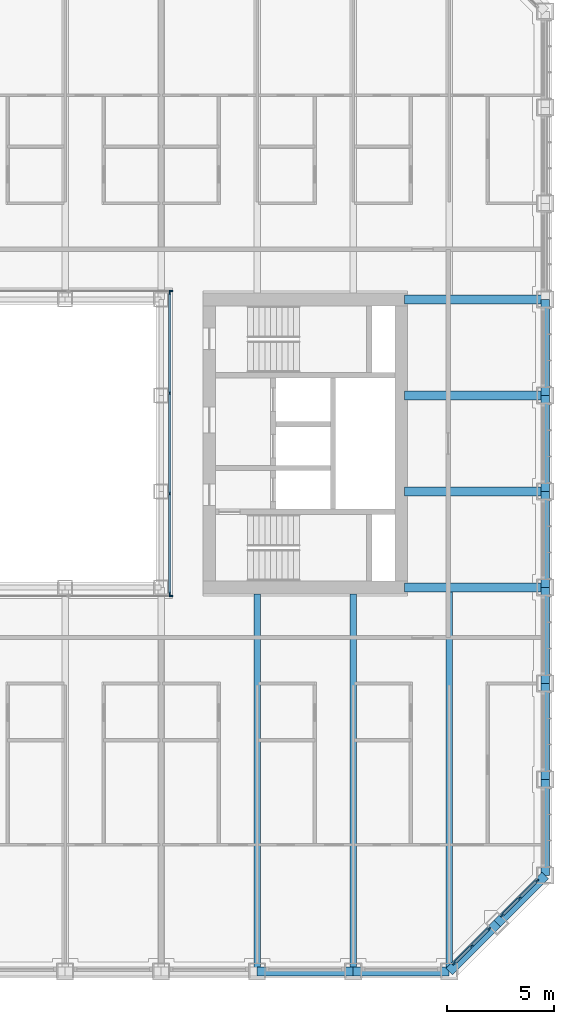
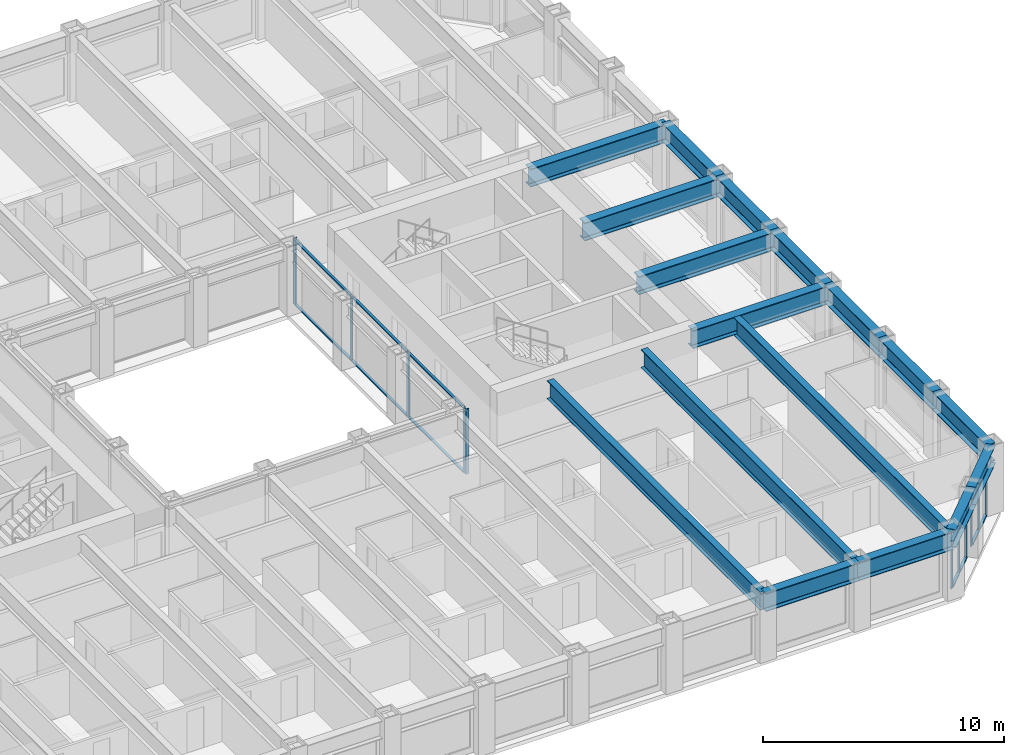
# One storey, part 5 of 21: 26 members, 17 beams, 5 elements without a shape of their own.
"""IFC4 building model written with IfcOpenShell, lengths in metres."""

from ifc_helpers import new_model, si_unit, direction, frame, origin, origin_2d, place, context, subcontext, project, spatial, rectangle, i_section, extrude, material, material_profile, profile_set, type_object, element, aggregate, save


model = new_model("IFC4")

# Units and contexts
model_context = context("Model", 3, precision=1e-05, world=origin(), true_north=direction((0.0, 1.0)))
body_context = subcontext(model_context, "Body", "Model", "MODEL_VIEW")
ifc_project = project(units=[si_unit("LENGTHUNIT", "METRE"), si_unit("AREAUNIT", "SQUARE_METRE"), si_unit("VOLUMEUNIT", "CUBIC_METRE"), si_unit("PLANEANGLEUNIT", "RADIAN"), si_unit("MASSUNIT", "GRAM", prefix="KILO")], contexts=[model_context])

# Site, building, storey
site_placement = place(None, origin())
site = spatial("IfcSite", under=ifc_project, at=site_placement, CompositionType="ELEMENT")
building_placement = place(site_placement, origin())
building = spatial("IfcBuilding", under=site, at=building_placement, Name="Msasa Ring Tower", CompositionType="ELEMENT")
storey_placement = place(building_placement, frame((0.0, 0.0, 89.5)))
storey = spatial("IfcBuildingStorey", under=building, at=storey_placement, Name="L23", CompositionType="ELEMENT", Elevation=89.5)

# Curtain wall, members
ifc_material_1 = material(Name="Aluminium curtain wall with clear glass", Category="aluminium")
curtain_wall_type_1 = type_object("IfcCurtainWallType", Name="CW-C CHAMFER CORNER CURTAIN WALL", PredefinedType="NOTDEFINED", material=ifc_material_1)
curtain_wall_1_placement = place(storey_placement, origin())
curtain_wall_1 = element("IfcCurtainWall", 1, at=curtain_wall_1_placement, inside=storey, type_object=curtain_wall_type_1, Name="Chamfer corner curtain wall SE L23", PredefinedType="NOTDEFINED")
ifc_material_2 = material(Name="Aluminium mullion", Category="aluminium")
ifc_material_profile_1 = material_profile(ifc_material_2, rectangle(XDim=0.06494140625, YDim=0.179931640625, at=origin_2d()), Name="AL 65x180")
ifc_profile_set_1 = profile_set([ifc_material_profile_1], Name="Aluminium mullion")
member_type_1 = type_object("IfcMemberType", Name="CW-C MULLION 65x180", PredefinedType="MULLION", material=ifc_profile_set_1)
member_1_placement = place(storey_placement, frame((20.48876953125, -24.369873046875, 0.0), z_axis=(0.0, 0.0, 1.0), x_axis=(-0.707106781187, 0.707106781187, 0.0)))
member_1 = element("IfcMember", 2, at=member_1_placement, type_object=member_type_1, Name="CW-C mullion 1", PredefinedType="MULLION", context=body_context, shape_type="SweptSolid", body=[
    extrude(rectangle(XDim=0.06494140625, YDim=0.179931640625, at=origin_2d()), origin(), (0.0, 0.0, 1.0), 2.37890625),
])
member_2_placement = place(storey_placement, frame((21.30419921875, -23.55419921875, 0.0), z_axis=(0.0, 0.0, 1.0), x_axis=(-0.707106781187, 0.707106781187, 0.0)))
member_2 = element("IfcMember", 3, at=member_2_placement, type_object=member_type_1, Name="CW-C mullion 2", PredefinedType="MULLION", context=body_context, shape_type="SweptSolid", body=[
    extrude(rectangle(XDim=0.06494140625, YDim=0.179931640625, at=origin_2d()), origin(), (0.0, 0.0, 1.0), 2.37890625),
])
member_3_placement = place(storey_placement, frame((22.119873046875, -22.73876953125, 0.0), z_axis=(0.0, 0.0, 1.0), x_axis=(-0.707106781187, 0.707106781187, 0.0)))
member_3 = element("IfcMember", 4, at=member_3_placement, type_object=member_type_1, Name="CW-C mullion 3", PredefinedType="MULLION", context=body_context, shape_type="SweptSolid", body=[
    extrude(rectangle(XDim=0.06494140625, YDim=0.179931640625, at=origin_2d()), origin(), (0.0, 0.0, 1.0), 2.37890625),
])

curtain_wall_2_placement = place(storey_placement, origin())
curtain_wall_2 = element("IfcCurtainWall", 5, at=curtain_wall_2_placement, inside=storey, type_object=curtain_wall_type_1, Name="Chamfer corner curtain wall SE L23", PredefinedType="NOTDEFINED")
member_4_placement = place(storey_placement, frame((22.73876953125, -22.119873046875, 0.0), z_axis=(0.0, 0.0, 1.0), x_axis=(-0.707106781187, 0.707106781187, 0.0)))
member_4 = element("IfcMember", 6, at=member_4_placement, type_object=member_type_1, Name="CW-C mullion 1", PredefinedType="MULLION", context=body_context, shape_type="SweptSolid", body=[
    extrude(rectangle(XDim=0.06494140625, YDim=0.179931640625, at=origin_2d()), origin(), (0.0, 0.0, 1.0), 2.37890625),
])
member_5_placement = place(storey_placement, frame((23.55419921875, -21.30419921875, 0.0), z_axis=(0.0, 0.0, 1.0), x_axis=(-0.707106781187, 0.707106781187, 0.0)))
member_5 = element("IfcMember", 7, at=member_5_placement, type_object=member_type_1, Name="CW-C mullion 2", PredefinedType="MULLION", context=body_context, shape_type="SweptSolid", body=[
    extrude(rectangle(XDim=0.06494140625, YDim=0.179931640625, at=origin_2d()), origin(), (0.0, 0.0, 1.0), 2.37890625),
])
member_6_placement = place(storey_placement, frame((24.369873046875, -20.48876953125, 0.0), z_axis=(0.0, 0.0, 1.0), x_axis=(-0.707106781187, 0.707106781187, 0.0)))
member_6 = element("IfcMember", 8, at=member_6_placement, type_object=member_type_1, Name="CW-C mullion 3", PredefinedType="MULLION", context=body_context, shape_type="SweptSolid", body=[
    extrude(rectangle(XDim=0.06494140625, YDim=0.179931640625, at=origin_2d()), origin(), (0.0, 0.0, 1.0), 2.37890625),
])

# Member
ifc_material_3 = material(Name="Aluminium transom", Category="aluminium")
ifc_material_profile_2 = material_profile(ifc_material_3, rectangle(XDim=0.139892578125, YDim=0.06494140625, at=origin_2d()), Name="AL 65x140")
ifc_profile_set_2 = profile_set([ifc_material_profile_2], Name="Aluminium transom")
member_type_2 = type_object("IfcMemberType", Name="CW-C TRANSOM 65x140", PredefinedType="USERDEFINED", material=ifc_profile_set_2)
member_7_placement = place(storey_placement, frame((20.51171875, -24.346923828125, 0.032470703125), z_axis=(0.707106781187, 0.707106781187, 0.0), x_axis=(-0.707106781187, 0.707106781187, 0.0)))
member_7 = element("IfcMember", 9, at=member_7_placement, type_object=member_type_2, Name="CW-C transom 1.1", ObjectType="TRANSOM", PredefinedType="USERDEFINED", context=body_context, shape_type="SweptSolid", body=[
    extrude(rectangle(XDim=0.139892578125, YDim=0.06494140625, at=origin_2d()), origin(), (0.0, 0.0, 1.0), 1.08837890625),
])

member_8_placement = place(storey_placement, frame((20.51171875, -24.346923828125, 2.346435546875), z_axis=(0.707106781187, 0.707106781187, 0.0), x_axis=(-0.707106781187, 0.707106781187, 0.0)))
member_8 = element("IfcMember", 10, at=member_8_placement, type_object=member_type_2, Name="CW-C transom 1.2", ObjectType="TRANSOM", PredefinedType="USERDEFINED", context=body_context, shape_type="SweptSolid", body=[
    extrude(rectangle(XDim=0.139892578125, YDim=0.06494140625, at=origin_2d()), origin(), (0.0, 0.0, 1.0), 1.08837890625),
])

member_9_placement = place(storey_placement, frame((21.327392578125, -23.53125, 0.032470703125), z_axis=(0.707106781187, 0.707106781187, 0.0), x_axis=(-0.707106781187, 0.707106781187, 0.0)))
member_9 = element("IfcMember", 11, at=member_9_placement, type_object=member_type_2, Name="CW-C transom 2.1", ObjectType="TRANSOM", PredefinedType="USERDEFINED", context=body_context, shape_type="SweptSolid", body=[
    extrude(rectangle(XDim=0.139892578125, YDim=0.06494140625, at=origin_2d()), origin(), (0.0, 0.0, 1.0), 1.08837890625),
])

member_10_placement = place(storey_placement, frame((21.327392578125, -23.53125, 2.346435546875), z_axis=(0.707106781187, 0.707106781187, 0.0), x_axis=(-0.707106781187, 0.707106781187, 0.0)))
member_10 = element("IfcMember", 12, at=member_10_placement, type_object=member_type_2, Name="CW-C transom 2.2", ObjectType="TRANSOM", PredefinedType="USERDEFINED", context=body_context, shape_type="SweptSolid", body=[
    extrude(rectangle(XDim=0.139892578125, YDim=0.06494140625, at=origin_2d()), origin(), (0.0, 0.0, 1.0), 1.08837890625),
])

aggregate(curtain_wall_1, [member_1, member_2, member_3, member_7, member_8, member_9, member_10])

member_11_placement = place(storey_placement, frame((22.76171875, -22.096923828125, 0.032470703125), z_axis=(0.707106781187, 0.707106781187, 0.0), x_axis=(-0.707106781187, 0.707106781187, 0.0)))
member_11 = element("IfcMember", 13, at=member_11_placement, type_object=member_type_2, Name="CW-C transom 1.1", ObjectType="TRANSOM", PredefinedType="USERDEFINED", context=body_context, shape_type="SweptSolid", body=[
    extrude(rectangle(XDim=0.139892578125, YDim=0.06494140625, at=origin_2d()), origin(), (0.0, 0.0, 1.0), 1.08837890625),
])

member_12_placement = place(storey_placement, frame((22.76171875, -22.096923828125, 2.346435546875), z_axis=(0.707106781187, 0.707106781187, 0.0), x_axis=(-0.707106781187, 0.707106781187, 0.0)))
member_12 = element("IfcMember", 14, at=member_12_placement, type_object=member_type_2, Name="CW-C transom 1.2", ObjectType="TRANSOM", PredefinedType="USERDEFINED", context=body_context, shape_type="SweptSolid", body=[
    extrude(rectangle(XDim=0.139892578125, YDim=0.06494140625, at=origin_2d()), origin(), (0.0, 0.0, 1.0), 1.08837890625),
])

member_13_placement = place(storey_placement, frame((23.577392578125, -21.28125, 0.032470703125), z_axis=(0.707106781187, 0.707106781187, 0.0), x_axis=(-0.707106781187, 0.707106781187, 0.0)))
member_13 = element("IfcMember", 15, at=member_13_placement, type_object=member_type_2, Name="CW-C transom 2.1", ObjectType="TRANSOM", PredefinedType="USERDEFINED", context=body_context, shape_type="SweptSolid", body=[
    extrude(rectangle(XDim=0.139892578125, YDim=0.06494140625, at=origin_2d()), origin(), (0.0, 0.0, 1.0), 1.08837890625),
])

member_14_placement = place(storey_placement, frame((23.577392578125, -21.28125, 2.346435546875), z_axis=(0.707106781187, 0.707106781187, 0.0), x_axis=(-0.707106781187, 0.707106781187, 0.0)))
member_14 = element("IfcMember", 16, at=member_14_placement, type_object=member_type_2, Name="CW-C transom 2.2", ObjectType="TRANSOM", PredefinedType="USERDEFINED", context=body_context, shape_type="SweptSolid", body=[
    extrude(rectangle(XDim=0.139892578125, YDim=0.06494140625, at=origin_2d()), origin(), (0.0, 0.0, 1.0), 1.08837890625),
])

aggregate(curtain_wall_2, [member_4, member_5, member_6, member_11, member_12, member_13, member_14])

# Curtain wall, member
ifc_material_4 = material(Name="Aluminium curtain wall with clear glass", Category="aluminium")
curtain_wall_type_2 = type_object("IfcCurtainWallType", Name="CW-W LIGHT WELL CURTAIN WALL", PredefinedType="NOTDEFINED", material=ifc_material_4)
curtain_wall_3_placement = place(storey_placement, origin())
curtain_wall_3 = element("IfcCurtainWall", 17, at=curtain_wall_3_placement, inside=storey, type_object=curtain_wall_type_2, Name="Light well curtain wall N L23", PredefinedType="NOTDEFINED")
ifc_material_5 = material(Name="Aluminium mullion", Category="aluminium")
ifc_material_profile_3 = material_profile(ifc_material_5, rectangle(XDim=0.06005859375, YDim=0.159912109375, at=origin_2d()), Name="AL 60x160")
ifc_profile_set_3 = profile_set([ifc_material_profile_3], Name="Aluminium mullion")
member_type_3 = type_object("IfcMemberType", Name="CW-W MULLION 60x160", PredefinedType="MULLION", material=ifc_profile_set_3)
member_15_placement = place(storey_placement, frame((7.199951171875, 7.14990234375, 0.0), z_axis=(0.0, 0.0, 1.0), x_axis=(0.0, 1.0, 0.0)))
member_15 = element("IfcMember", 18, at=member_15_placement, type_object=member_type_3, Name="CW-W mullion 4", PredefinedType="MULLION", context=body_context, shape_type="SweptSolid", body=[
    extrude(rectangle(XDim=0.06005859375, YDim=0.159912109375, at=origin_2d()), origin(), (0.0, 0.0, 1.0), 3.300048828125),
])
aggregate(curtain_wall_3, [member_15])

curtain_wall_4_placement = place(storey_placement, origin())
curtain_wall_4 = element("IfcCurtainWall", 19, at=curtain_wall_4_placement, inside=storey, type_object=curtain_wall_type_2, Name="Light well curtain wall S L23", PredefinedType="NOTDEFINED")
member_16_placement = place(storey_placement, frame((7.199951171875, -7.14990234375, 0.0), z_axis=(0.0, 0.0, 1.0), x_axis=(0.0, 1.0, 0.0)))
member_16 = element("IfcMember", 20, at=member_16_placement, type_object=member_type_3, Name="CW-W mullion 4", PredefinedType="MULLION", context=body_context, shape_type="SweptSolid", body=[
    extrude(rectangle(XDim=0.06005859375, YDim=0.159912109375, at=origin_2d()), origin(), (0.0, 0.0, 1.0), 3.300048828125),
])
aggregate(curtain_wall_4, [member_16])

# Curtain wall, members
curtain_wall_5_placement = place(storey_placement, origin())
curtain_wall_5 = element("IfcCurtainWall", 21, at=curtain_wall_5_placement, inside=storey, type_object=curtain_wall_type_2, Name="Light well curtain wall E L23", PredefinedType="NOTDEFINED")
member_17_placement = place(storey_placement, frame((7.14990234375, -7.0400390625, 0.0), z_axis=(0.0, 0.0, 1.0), x_axis=(-1.0, 0.0, 0.0)))
member_17 = element("IfcMember", 22, at=member_17_placement, type_object=member_type_3, Name="CW-W mullion 1", PredefinedType="MULLION", context=body_context, shape_type="SweptSolid", body=[
    extrude(rectangle(XDim=0.06005859375, YDim=0.159912109375, at=origin_2d()), origin(), (0.0, 0.0, 1.0), 3.300048828125),
])
member_18_placement = place(storey_placement, frame((7.14990234375, -2.356689453125, 0.0), z_axis=(0.0, 0.0, 1.0), x_axis=(-1.0, 0.0, 0.0)))
member_18 = element("IfcMember", 23, at=member_18_placement, type_object=member_type_3, Name="CW-W mullion 2", PredefinedType="MULLION", context=body_context, shape_type="SweptSolid", body=[
    extrude(rectangle(XDim=0.06005859375, YDim=0.159912109375, at=origin_2d()), origin(), (0.0, 0.0, 1.0), 3.300048828125),
])
member_19_placement = place(storey_placement, frame((7.14990234375, 2.356689453125, 0.0), z_axis=(0.0, 0.0, 1.0), x_axis=(-1.0, 0.0, 0.0)))
member_19 = element("IfcMember", 24, at=member_19_placement, type_object=member_type_3, Name="CW-W mullion 3", PredefinedType="MULLION", context=body_context, shape_type="SweptSolid", body=[
    extrude(rectangle(XDim=0.06005859375, YDim=0.159912109375, at=origin_2d()), origin(), (0.0, 0.0, 1.0), 3.300048828125),
])
member_20_placement = place(storey_placement, frame((7.14990234375, 7.0400390625, 0.0), z_axis=(0.0, 0.0, 1.0), x_axis=(-1.0, 0.0, 0.0)))
member_20 = element("IfcMember", 25, at=member_20_placement, type_object=member_type_3, Name="CW-W mullion 4", PredefinedType="MULLION", context=body_context, shape_type="SweptSolid", body=[
    extrude(rectangle(XDim=0.06005859375, YDim=0.159912109375, at=origin_2d()), origin(), (0.0, 0.0, 1.0), 3.300048828125),
])
ifc_material_6 = material(Name="Aluminium transom", Category="aluminium")
ifc_material_profile_4 = material_profile(ifc_material_6, rectangle(XDim=0.1201171875, YDim=0.06005859375, at=origin_2d()), Name="AL 60x120")
ifc_profile_set_4 = profile_set([ifc_material_profile_4], Name="Aluminium transom")
member_type_4 = type_object("IfcMemberType", Name="CW-W TRANSOM 60x120", PredefinedType="USERDEFINED", material=ifc_profile_set_4)
member_21_placement = place(storey_placement, frame((7.14990234375, -7.010009765625, 0.030029296875), z_axis=(0.0, 1.0, 0.0), x_axis=(-1.0, 0.0, 0.0)))
member_21 = element("IfcMember", 26, at=member_21_placement, type_object=member_type_4, Name="CW-W transom 1.1", ObjectType="TRANSOM", PredefinedType="USERDEFINED", context=body_context, shape_type="SweptSolid", body=[
    extrude(rectangle(XDim=0.1201171875, YDim=0.06005859375, at=origin_2d()), origin(), (0.0, 0.0, 1.0), 4.623291015625),
])
member_22_placement = place(storey_placement, frame((7.14990234375, -7.010009765625, 3.27001953125), z_axis=(0.0, 1.0, 0.0), x_axis=(-1.0, 0.0, 0.0)))
member_22 = element("IfcMember", 27, at=member_22_placement, type_object=member_type_4, Name="CW-W transom 1.2", ObjectType="TRANSOM", PredefinedType="USERDEFINED", context=body_context, shape_type="SweptSolid", body=[
    extrude(rectangle(XDim=0.1201171875, YDim=0.06005859375, at=origin_2d()), origin(), (0.0, 0.0, 1.0), 4.623291015625),
])
member_23_placement = place(storey_placement, frame((7.14990234375, -2.32666015625, 0.030029296875), z_axis=(0.0, 1.0, 0.0), x_axis=(-1.0, 0.0, 0.0)))
member_23 = element("IfcMember", 28, at=member_23_placement, type_object=member_type_4, Name="CW-W transom 2.1", ObjectType="TRANSOM", PredefinedType="USERDEFINED", context=body_context, shape_type="SweptSolid", body=[
    extrude(rectangle(XDim=0.1201171875, YDim=0.06005859375, at=origin_2d()), origin(), (0.0, 0.0, 1.0), 4.6533203125),
])
member_24_placement = place(storey_placement, frame((7.14990234375, -2.32666015625, 3.27001953125), z_axis=(0.0, 1.0, 0.0), x_axis=(-1.0, 0.0, 0.0)))
member_24 = element("IfcMember", 29, at=member_24_placement, type_object=member_type_4, Name="CW-W transom 2.2", ObjectType="TRANSOM", PredefinedType="USERDEFINED", context=body_context, shape_type="SweptSolid", body=[
    extrude(rectangle(XDim=0.1201171875, YDim=0.06005859375, at=origin_2d()), origin(), (0.0, 0.0, 1.0), 4.6533203125),
])
member_25_placement = place(storey_placement, frame((7.14990234375, 2.38671875, 0.030029296875), z_axis=(0.0, 1.0, 0.0), x_axis=(-1.0, 0.0, 0.0)))
member_25 = element("IfcMember", 30, at=member_25_placement, type_object=member_type_4, Name="CW-W transom 3.1", ObjectType="TRANSOM", PredefinedType="USERDEFINED", context=body_context, shape_type="SweptSolid", body=[
    extrude(rectangle(XDim=0.1201171875, YDim=0.06005859375, at=origin_2d()), origin(), (0.0, 0.0, 1.0), 4.623291015625),
])
member_26_placement = place(storey_placement, frame((7.14990234375, 2.38671875, 3.27001953125), z_axis=(0.0, 1.0, 0.0), x_axis=(-1.0, 0.0, 0.0)))
member_26 = element("IfcMember", 31, at=member_26_placement, type_object=member_type_4, Name="CW-W transom 3.2", ObjectType="TRANSOM", PredefinedType="USERDEFINED", context=body_context, shape_type="SweptSolid", body=[
    extrude(rectangle(XDim=0.1201171875, YDim=0.06005859375, at=origin_2d()), origin(), (0.0, 0.0, 1.0), 4.623291015625),
])
aggregate(curtain_wall_5, [member_17, member_18, member_19, member_20, member_21, member_22, member_23, member_24, member_25, member_26])

# Beams
ifc_material_7 = material(Name="Steel S355", Category="steel")
ifc_material_profile_5 = material_profile(ifc_material_7, i_section(OverallWidth=0.42041015625, OverallDepth=0.9208984375, WebThickness=0.021484375, FlangeThickness=0.03662109375, FilletRadius=0.024169921875, at=origin_2d()), Name="UB 914x419x388")
ifc_profile_set_5 = profile_set([ifc_material_profile_5], Name="Steel S355")
beam_type_1 = type_object("IfcBeamType", Name="FB2 UB 914x419x388", PredefinedType="BEAM", material=ifc_profile_set_5)
for number, where, z_axis, x_axis, name in (
    (32, (24.75, -2.25, 2.839599609375), (-1.0, 0.0, 0.0), (0.0, -1.0, 0.0), "Floor beam E -2.25 under L24"),
    (33, (24.75, 2.25, 2.839599609375), (-1.0, 0.0, 0.0), (0.0, -1.0, 0.0), "Floor beam E +2.25 under L24"),
):
    element("IfcBeam", number, at=place(storey_placement, frame(where, z_axis=z_axis, x_axis=x_axis)), inside=storey, type_object=beam_type_1, Name=name, PredefinedType="BEAM", context=body_context, shape_type="SweptSolid", body=[
        extrude(i_section(OverallWidth=0.42041015625, OverallDepth=0.9208984375, WebThickness=0.021484375, FlangeThickness=0.03662109375, FilletRadius=0.024169921875, at=origin_2d()), origin(), (0.0, 0.0, 1.0), 6.60009765625),
    ])
ifc_material_8 = material(Name="Steel S355", Category="steel")
ifc_material_profile_6 = material_profile(ifc_material_8, i_section(OverallWidth=0.3076171875, OverallDepth=0.926513671875, WebThickness=0.01953125, FlangeThickness=0.031982421875, FilletRadius=0.01904296875, at=origin_2d()), Name="UB 914x305x289")
ifc_profile_set_6 = profile_set([ifc_material_profile_6], Name="Steel S355")
beam_type_2 = type_object("IfcBeamType", Name="FB3 UB 914x305x289", PredefinedType="BEAM", material=ifc_profile_set_6)
for number, where, z_axis, x_axis, name in (
    (34, (11.25, -24.75, 2.836669921875), (0.0, 1.0, 0.0), (-1.0, 0.0, 0.0), "Floor beam S+11.25 under L24"),
    (35, (15.75, -24.75, 2.836669921875), (0.0, 1.0, 0.0), (-1.0, 0.0, 0.0), "Floor beam S+15.75 under L24"),
):
    element("IfcBeam", number, at=place(storey_placement, frame(where, z_axis=z_axis, x_axis=x_axis)), inside=storey, type_object=beam_type_2, Name=name, PredefinedType="BEAM", context=body_context, shape_type="SweptSolid", body=[
        extrude(i_section(OverallWidth=0.3076171875, OverallDepth=0.926513671875, WebThickness=0.01953125, FlangeThickness=0.031982421875, FilletRadius=0.01904296875, at=origin_2d()), origin(), (0.0, 0.0, 1.0), 17.699951171875),
    ])
beam_placement = place(storey_placement, frame((20.25, -24.75, 2.836669921875), z_axis=(0.0, 1.0, 0.0), x_axis=(-1.0, 0.0, 0.0)))
element("IfcBeam", 36, at=beam_placement, inside=storey, type_object=beam_type_2, Name="Floor beam S+20.25 under L24", PredefinedType="BEAM", context=body_context, shape_type="SweptSolid", body=[
    extrude(i_section(OverallWidth=0.3076171875, OverallDepth=0.926513671875, WebThickness=0.01953125, FlangeThickness=0.031982421875, FilletRadius=0.01904296875, at=origin_2d()), origin(), (0.0, 0.0, 1.0), 17.789794921875),
])
ifc_material_9 = material(Name="Steel S355", Category="steel")
ifc_material_profile_7 = material_profile(ifc_material_9, i_section(OverallWidth=0.42041015625, OverallDepth=0.9208984375, WebThickness=0.021484375, FlangeThickness=0.03662109375, FilletRadius=0.024169921875, at=origin_2d()), Name="UB 914x419x388")
ifc_profile_set_7 = profile_set([ifc_material_profile_7], Name="Steel S355")
beam_type_3 = type_object("IfcBeamType", Name="GB1 UB 914x419x388", PredefinedType="BEAM", material=ifc_profile_set_7)
for number, where, z_axis, x_axis, name in (
    (37, (18.14990234375, 6.75, 2.839599609375), (1.0, 0.0, 0.0), (0.0, 1.0, 0.0), "Girder E +6.75 under L24"),
    (38, (18.14990234375, -6.75, 2.839599609375), (1.0, 0.0, 0.0), (0.0, 1.0, 0.0), "Girder E -6.75 under L24"),
):
    element("IfcBeam", number, at=place(storey_placement, frame(where, z_axis=z_axis, x_axis=x_axis)), inside=storey, type_object=beam_type_3, Name=name, PredefinedType="BEAM", context=body_context, shape_type="SweptSolid", body=[
        extrude(i_section(OverallWidth=0.42041015625, OverallDepth=0.9208984375, WebThickness=0.021484375, FlangeThickness=0.03662109375, FilletRadius=0.024169921875, at=origin_2d()), origin(), (0.0, 0.0, 1.0), 6.60009765625),
    ])
ifc_material_10 = material(Name="Steel S355", Category="steel")
ifc_material_profile_8 = material_profile(ifc_material_10, i_section(OverallWidth=0.42041015625, OverallDepth=0.9208984375, WebThickness=0.021484375, FlangeThickness=0.03662109375, FilletRadius=0.024169921875, at=origin_2d()), Name="UB 914x419x388")
ifc_profile_set_8 = profile_set([ifc_material_profile_8], Name="Steel S355")
beam_type_4 = type_object("IfcBeamType", Name="SB1 UB 914x419x388", PredefinedType="SPANDREL", material=ifc_profile_set_8)
for number, where, z_axis, x_axis, name in (
    (39, (11.25, -24.75, 2.839599609375), (1.0, 0.0, 0.0), (0.0, 1.0, 0.0), "Spandrel S+11.25 to S+15.75 under L24"),
    (40, (15.75, -24.75, 2.839599609375), (1.0, 0.0, 0.0), (0.0, 1.0, 0.0), "Spandrel S+15.75 to S+20.25 under L24"),
):
    element("IfcBeam", number, at=place(storey_placement, frame(where, z_axis=z_axis, x_axis=x_axis)), inside=storey, type_object=beam_type_4, Name=name, PredefinedType="SPANDREL", context=body_context, shape_type="SweptSolid", body=[
        extrude(i_section(OverallWidth=0.42041015625, OverallDepth=0.9208984375, WebThickness=0.021484375, FlangeThickness=0.03662109375, FilletRadius=0.024169921875, at=origin_2d()), origin(), (0.0, 0.0, 1.0), 4.5),
    ])
for number, where, z_axis, x_axis, name in (
    (41, (20.25, -24.75, 2.839599609375), (0.707106781187, 0.707106781187, 0.0), (-0.707106781187, 0.707106781187, 0.0), "Spandrel S+20.25 to SE under L24"),
    (42, (22.5, -22.5, 2.839599609375), (0.707106781187, 0.707106781187, 0.0), (-0.707106781187, 0.707106781187, 0.0), "Spandrel SE to E-20.25 under L24"),
):
    element("IfcBeam", number, at=place(storey_placement, frame(where, z_axis=z_axis, x_axis=x_axis)), inside=storey, type_object=beam_type_4, Name=name, PredefinedType="SPANDREL", context=body_context, shape_type="SweptSolid", body=[
        extrude(i_section(OverallWidth=0.42041015625, OverallDepth=0.9208984375, WebThickness=0.021484375, FlangeThickness=0.03662109375, FilletRadius=0.024169921875, at=origin_2d()), origin(), (0.0, 0.0, 1.0), 3.181884765625),
    ])
for number, where, z_axis, x_axis, name in (
    (43, (24.75, -20.25, 2.839599609375), (0.0, 1.0, 0.0), (-1.0, 0.0, 0.0), "Spandrel E-20.25 to E-15.75 under L24"),
    (44, (24.75, -15.75, 2.839599609375), (0.0, 1.0, 0.0), (-1.0, 0.0, 0.0), "Spandrel E-15.75 to E-11.25 under L24"),
    (45, (24.75, -11.25, 2.839599609375), (0.0, 1.0, 0.0), (-1.0, 0.0, 0.0), "Spandrel E-11.25 to E-6.75 under L24"),
    (46, (24.75, -6.75, 2.839599609375), (0.0, 1.0, 0.0), (-1.0, 0.0, 0.0), "Spandrel E-6.75 to E-2.25 under L24"),
    (47, (24.75, -2.25, 2.839599609375), (0.0, 1.0, 0.0), (-1.0, 0.0, 0.0), "Spandrel E-2.25 to E+2.25 under L24"),
    (48, (24.75, 2.25, 2.839599609375), (0.0, 1.0, 0.0), (-1.0, 0.0, 0.0), "Spandrel E+2.25 to E+6.75 under L24"),
):
    element("IfcBeam", number, at=place(storey_placement, frame(where, z_axis=z_axis, x_axis=x_axis)), inside=storey, type_object=beam_type_4, Name=name, PredefinedType="SPANDREL", context=body_context, shape_type="SweptSolid", body=[
        extrude(i_section(OverallWidth=0.42041015625, OverallDepth=0.9208984375, WebThickness=0.021484375, FlangeThickness=0.03662109375, FilletRadius=0.024169921875, at=origin_2d()), origin(), (0.0, 0.0, 1.0), 4.5),
    ])

save(model, "model.ifc")
